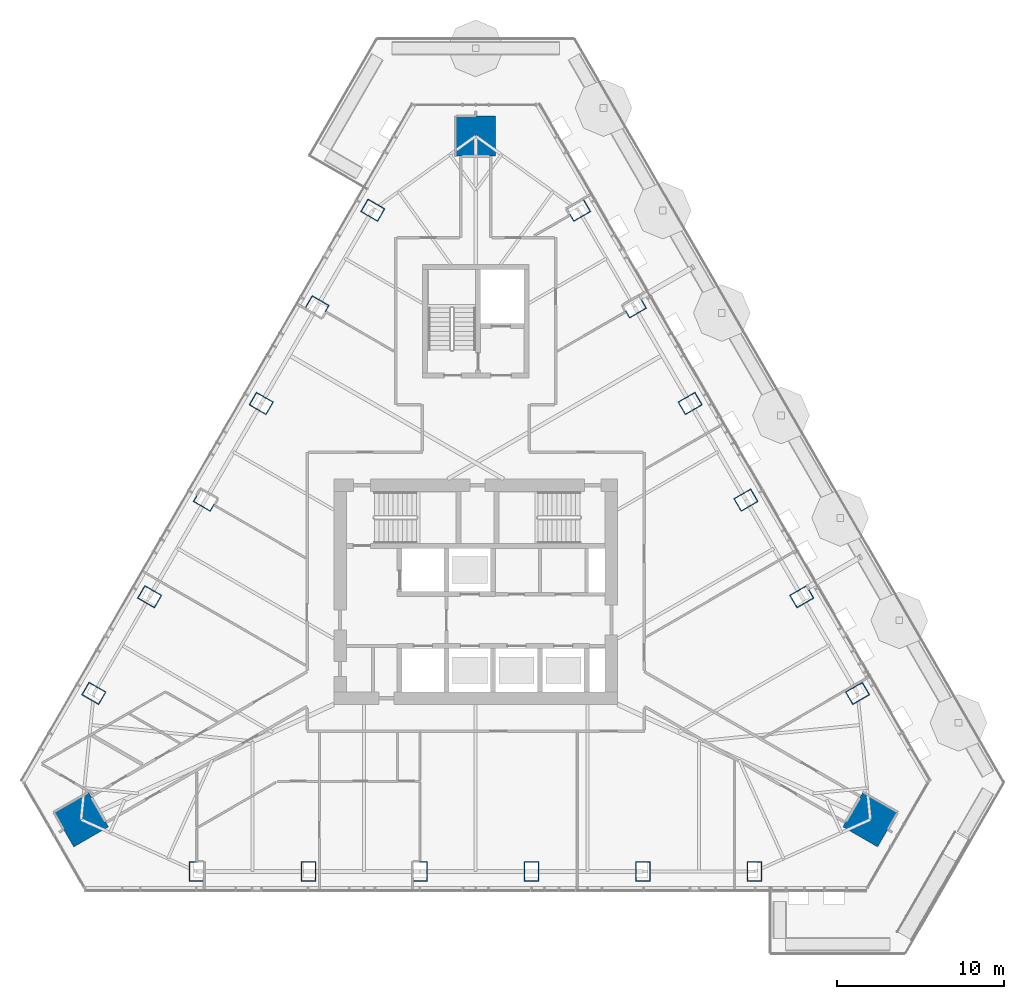
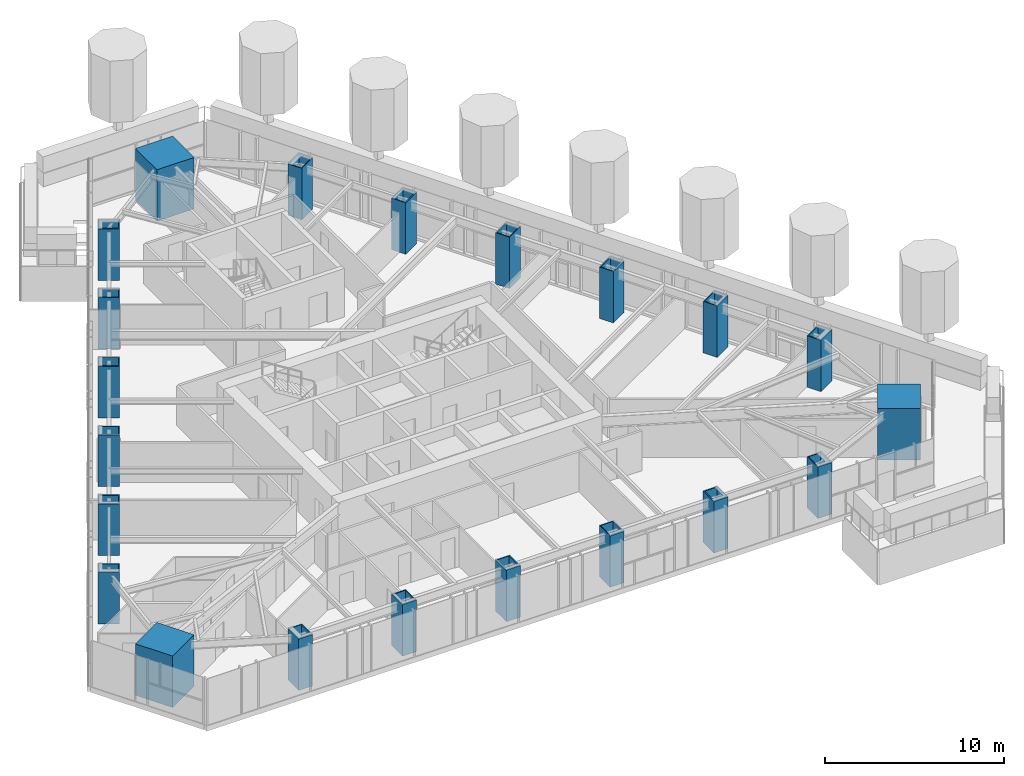
# One storey, part 1 of 24: 21 columns.
"""IFC4 building model written with IfcOpenShell, lengths in metres."""

from ifc_helpers import new_model, si_unit, direction, frame, origin, origin_2d, place, context, subcontext, project, spatial, rectangle, hollow_rectangle, extrude, material, material_profile, profile_set, type_object, element, save


model = new_model("IFC4")

# Units and contexts
model_context = context("Model", 3, precision=1e-05, world=origin(), true_north=direction((0.0, 1.0)))
body_context = subcontext(model_context, "Body", "Model", "MODEL_VIEW")
ifc_project = project(units=[si_unit("LENGTHUNIT", "METRE"), si_unit("AREAUNIT", "SQUARE_METRE"), si_unit("VOLUMEUNIT", "CUBIC_METRE"), si_unit("PLANEANGLEUNIT", "RADIAN"), si_unit("MASSUNIT", "GRAM", prefix="KILO")], contexts=[model_context])

# Site, building, storey
site_placement = place(None, origin())
site = spatial("IfcSite", under=ifc_project, at=site_placement, CompositionType="ELEMENT")
building_placement = place(site_placement, origin())
building = spatial("IfcBuilding", under=site, at=building_placement, Name="Firuza Gate Tower and Library", CompositionType="ELEMENT")
storey_placement = place(building_placement, frame((0.0, 0.0, 267.10009765625)))
storey = spatial("IfcBuildingStorey", under=building, at=storey_placement, Name="L63", CompositionType="ELEMENT", Elevation=267.10009765625)

# Columns
ifc_material_1 = material(Name="Steel S355", Category="steel")
ifc_material_profile_1 = material_profile(ifc_material_1, hollow_rectangle(XDim=0.89990234375, YDim=1.199951171875, WallThickness=0.06005859375, at=origin_2d()))
ifc_profile_set_1 = profile_set([ifc_material_profile_1], Name="Steel S355")
column_type_1 = type_object("IfcColumnType", Name="BU1200x900x60 Composite box column", PredefinedType="COLUMN", material=ifc_profile_set_1)
for number, where, z_axis, x_axis, name in (
    (1, (58.293212890625, 58.2392578125, -0.00048828125), (0.0, 0.0, 1.0), (1.0, 0.0, 0.0), "Column S1 L63"),
    (2, (64.97607421875, 58.2392578125, -0.00048828125), (0.0, 0.0, 1.0), (1.0, 0.0, 0.0), "Column S2 L63"),
    (3, (71.65869140625, 58.2392578125, -0.00048828125), (0.0, 0.0, 1.0), (1.0, 0.0, 0.0), "Column S3 L63"),
    (4, (78.34130859375, 58.2392578125, -0.00048828125), (0.0, 0.0, 1.0), (1.0, 0.0, 0.0), "Column S4 L63"),
    (5, (85.02392578125, 58.2392578125, -0.00048828125), (0.0, 0.0, 1.0), (1.0, 0.0, 0.0), "Column S5 L63"),
    (6, (91.706787109375, 58.2392578125, -0.00048828125), (0.0, 0.0, 1.0), (1.0, 0.0, 0.0), "Column S6 L63"),
    (7, (97.86865234375, 68.911865234375, -0.00048828125), (0.0, 0.0, 1.0), (-0.5, 0.866025403784, 0.0), "Column E1 L63"),
    (8, (94.52734375, 74.699462890625, -0.00048828125), (0.0, 0.0, 1.0), (-0.5, 0.866025403784, 0.0), "Column E2 L63"),
    (9, (91.185791015625, 80.48681640625, -0.00048828125), (0.0, 0.0, 1.0), (-0.5, 0.866025403784, 0.0), "Column E3 L63"),
    (10, (87.844482421875, 86.274169921875, -0.00048828125), (0.0, 0.0, 1.0), (-0.5, 0.866025403784, 0.0), "Column E4 L63"),
    (11, (84.503173828125, 92.0615234375, -0.00048828125), (0.0, 0.0, 1.0), (-0.5, 0.866025403784, 0.0), "Column E5 L63"),
    (12, (81.161865234375, 97.848876953125, -0.00048828125), (0.0, 0.0, 1.0), (-0.5, 0.866025403784, 0.0), "Column E6 L63"),
    (13, (68.838134765625, 97.848876953125, -0.00048828125), (0.0, 0.0, 1.0), (-0.5, -0.866025403784, 0.0), "Column W1 L63"),
    (14, (65.496826171875, 92.0615234375, -0.00048828125), (0.0, 0.0, 1.0), (-0.5, -0.866025403784, 0.0), "Column W2 L63"),
    (15, (62.155517578125, 86.274169921875, -0.00048828125), (0.0, 0.0, 1.0), (-0.5, -0.866025403784, 0.0), "Column W3 L63"),
    (16, (58.814208984375, 80.48681640625, -0.00048828125), (0.0, 0.0, 1.0), (-0.5, -0.866025403784, 0.0), "Column W4 L63"),
    (17, (55.47265625, 74.699462890625, -0.00048828125), (0.0, 0.0, 1.0), (-0.5, -0.866025403784, 0.0), "Column W5 L63"),
    (18, (52.13134765625, 68.911865234375, -0.00048828125), (0.0, 0.0, 1.0), (-0.5, -0.866025403784, 0.0), "Column W6 L63"),
):
    element("IfcColumn", number, at=place(storey_placement, frame(where, z_axis=z_axis, x_axis=x_axis)), inside=storey, type_object=column_type_1, Name=name, PredefinedType="COLUMN", context=body_context, shape_type="SweptSolid", body=[
        extrude(hollow_rectangle(XDim=0.89990234375, YDim=1.199951171875, WallThickness=0.06005859375, at=origin_2d()), origin(), (0.0, 0.0, 1.0), 3.50048828125),
    ])
ifc_material_2 = material(Name="Concrete C80/95", Category="concrete")
ifc_material_profile_2 = material_profile(ifc_material_2, rectangle(XDim=2.39990234375, YDim=2.39990234375, at=origin_2d()))
ifc_profile_set_2 = profile_set([ifc_material_profile_2], Name="Concrete C80/95")
column_type_2 = type_object("IfcColumnType", Name="Mega column 2400x2400 C80/95", PredefinedType="COLUMN", material=ifc_profile_set_2)
for number, where, z_axis, x_axis, name in (
    (19, (98.63037109375, 61.35693359375, 0.0), (0.0, 0.0, 1.0), (0.5, 0.866025403784, 0.0), "Mega column SE L63"),
    (20, (75.0, 102.2861328125, 0.0), (0.0, 0.0, 1.0), (-1.0, 0.0, 0.0), "Mega column N L63"),
    (21, (51.36962890625, 61.35693359375, 0.0), (0.0, 0.0, 1.0), (0.5, -0.866025403784, 0.0), "Mega column SW L63"),
):
    element("IfcColumn", number, at=place(storey_placement, frame(where, z_axis=z_axis, x_axis=x_axis)), inside=storey, type_object=column_type_2, Name=name, PredefinedType="COLUMN", context=body_context, shape_type="SweptSolid", body=[
        extrude(rectangle(XDim=2.39990234375, YDim=2.39990234375, at=origin_2d()), origin(), (0.0, 0.0, 1.0), 3.5),
    ])

save(model, "model.ifc")
